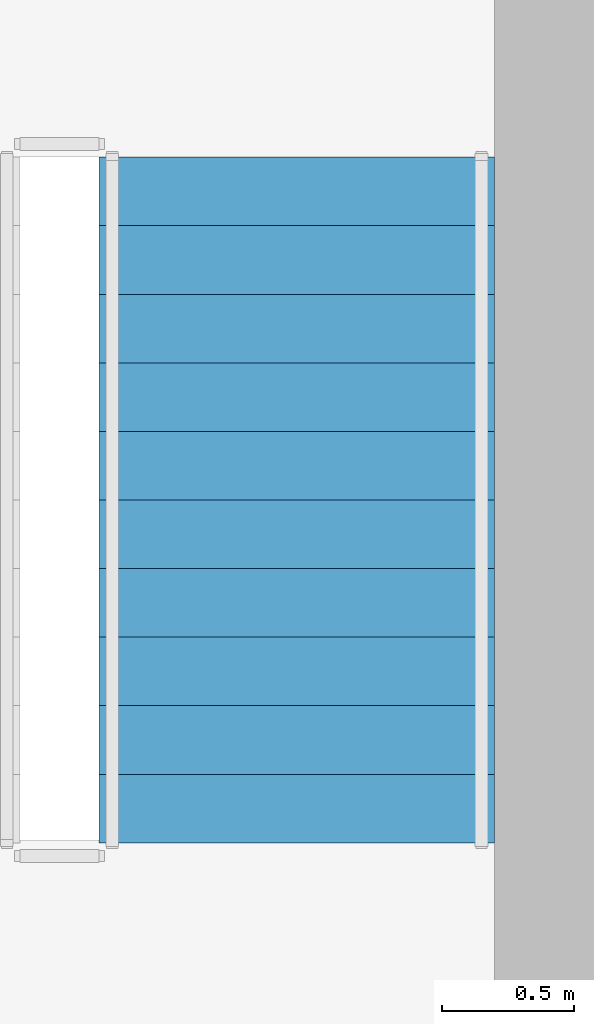
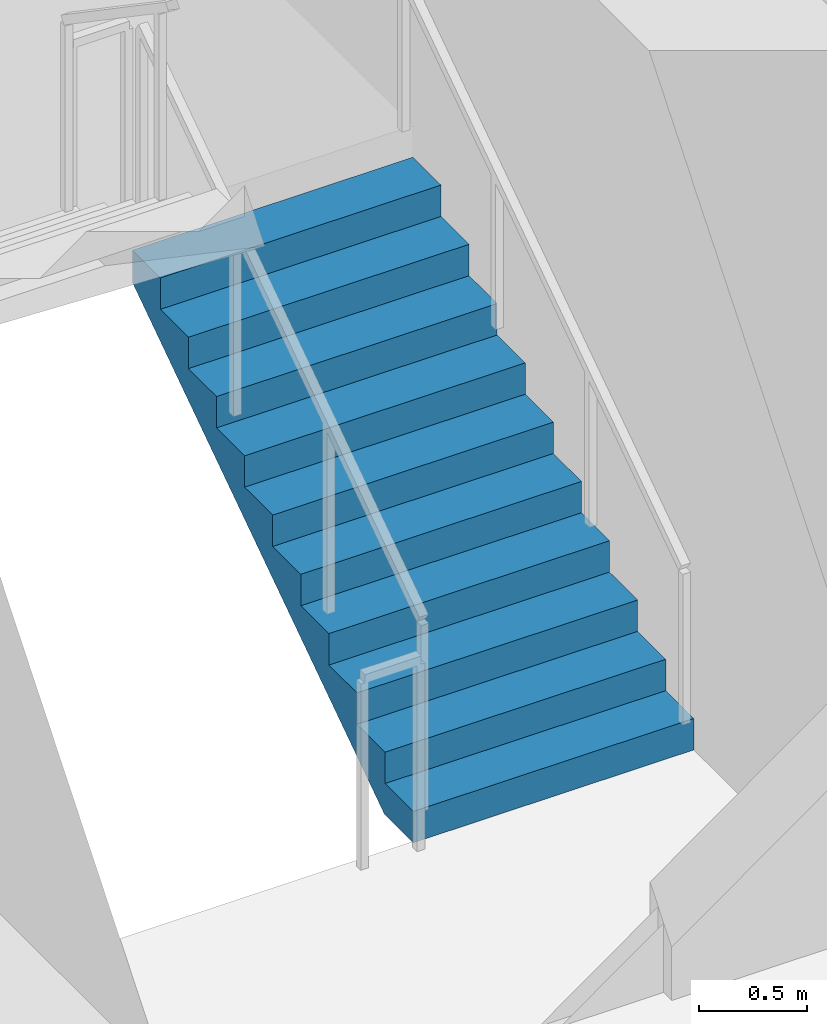
# One storey, part 12 of 17: 1 stair flight, 1 element without a shape of its own.
"""IFC4 building model written with IfcOpenShell, lengths in metres."""

import ifcopenshell
import ifcopenshell.guid

model = None  # the IFC model being written
_history = None  # IfcOwnerHistory: only IFC2X3 demands one
_inside = {}  # id of a spatial element -> (the spatial element, [elements in it])
_under = {}  # id of a project, library or spatial element -> (it, [spatial elements below it])
_declared = {}  # id of a project -> (the project, [libraries it declares])
_typed = {}  # id of a type object -> (the type object, [elements of that type])
_made_of = {}  # id of a material, layer set ... -> (it, [elements and type objects made of it])


def new_model(schema):
    """Start an empty IFC model of exactly this schema.

    Asked for "IFC4X3", IfcOpenShell would pick the latest addendum, in which some entities
    have other attributes; the version numbers below select the first issue.
    IFC2X3 requires an IfcOwnerHistory on every rooted entity: one is made here for all.
    """
    global model, _history
    if schema == "IFC4X3":
        model = ifcopenshell.file(schema_version=(4, 3, 0, 0))
    else:
        model = ifcopenshell.file(schema=schema)
    _inside.clear()
    _under.clear()
    _declared.clear()
    _typed.clear()
    _made_of.clear()
    _history = None
    if model.schema == "IFC2X3":
        org = make("IfcOrganization", Name="unknown")
        user = make(
            "IfcPersonAndOrganization",
            ThePerson=make("IfcPerson", FamilyName="unknown"),
            TheOrganization=org,
        )
        app = make(
            "IfcApplication",
            ApplicationDeveloper=org,
            Version="unknown",
            ApplicationFullName="unknown",
            ApplicationIdentifier="unknown",
        )
        _history = make(
            "IfcOwnerHistory",
            OwningUser=user,
            OwningApplication=app,
            ChangeAction="ADDED",
            CreationDate=0,
        )
    return model


def make(cls, **values):
    """One entity of the class cls with the attributes given. An attribute that is None is left unset."""
    return model.create_entity(
        cls, **{name: value for name, value in values.items() if value is not None}
    )


def rooted(cls, **values):
    """An entity with a GlobalId (a new one), such as an element, a storey or a relation."""
    return make(cls, GlobalId=ifcopenshell.guid.new(), OwnerHistory=_history, **values)


def si_unit(unit_type, name, prefix=None):
    """IfcSIUnit, for example si_unit("LENGTHUNIT", "METRE", prefix="MILLI")."""
    return make("IfcSIUnit", UnitType=unit_type, Prefix=prefix, Name=name)


def assignment(units):
    """IfcUnitAssignment: the units of a project."""
    return None if units is None else make("IfcUnitAssignment", Units=units)


def point(xyz):
    """IfcCartesianPoint."""
    return None if xyz is None else make("IfcCartesianPoint", Coordinates=xyz)


def direction(xyz):
    """IfcDirection."""
    return None if xyz is None else make("IfcDirection", DirectionRatios=xyz)


def frame(location, z_axis=None, x_axis=None):
    """IfcAxis2Placement3D, a coordinate frame: its origin and axes. An axis left out is left unset."""
    return make(
        "IfcAxis2Placement3D",
        Location=point(location),
        Axis=direction(z_axis),
        RefDirection=direction(x_axis),
    )


def origin():
    """The frame at (0, 0, 0) with its axes left unset."""
    return frame((0.0, 0.0, 0.0))


def place(relative_to, where):
    """IfcLocalPlacement: puts the frame where relative to a parent placement (None: the world)."""
    return make(
        "IfcLocalPlacement", PlacementRelTo=relative_to, RelativePlacement=where
    )


def context(
    kind, dimensions, precision=None, world=None, true_north=None, identifier=None
):
    """IfcGeometricRepresentationContext, for example the 3D "Model" context."""
    return make(
        "IfcGeometricRepresentationContext",
        ContextIdentifier=identifier,
        ContextType=kind,
        CoordinateSpaceDimension=dimensions,
        Precision=precision,
        WorldCoordinateSystem=world,
        TrueNorth=true_north,
    )


def subcontext(parent, identifier, kind, view, scale=None):
    """IfcGeometricRepresentationSubContext, for example "Body" below "Model"."""
    return make(
        "IfcGeometricRepresentationSubContext",
        ContextIdentifier=identifier,
        ContextType=kind,
        ParentContext=parent,
        TargetScale=scale,
        TargetView=view,
    )


def project(units=None, contexts=None):
    """IfcProject with its units and contexts."""
    return rooted(
        "IfcProject",
        Name="project",
        RepresentationContexts=contexts,
        UnitsInContext=assignment(units),
    )


def spatial(cls, under=None, at=None, **own):
    """A site, building, storey or space (cls), placed at a placement, below another one or the project."""
    s = rooted(cls, ObjectPlacement=at, **own)
    if under is not None:
        _under.setdefault(under.id(), (under, []))[1].append(s)
    return s


def polyline(points):
    """IfcPolyline through the points."""
    return make("IfcPolyline", Points=[point(p) for p in points])


def outline(outer, holes=None, kind="AREA"):
    """IfcArbitraryClosedProfileDef: a profile drawn as a closed curve; with holes, ...WithVoids."""
    if holes is None:
        return make("IfcArbitraryClosedProfileDef", ProfileType=kind, OuterCurve=outer)
    return make(
        "IfcArbitraryProfileDefWithVoids",
        ProfileType=kind,
        OuterCurve=outer,
        InnerCurves=holes,
    )


def extrude(swept, where, along, depth):
    """IfcExtrudedAreaSolid: the profile swept, set in the frame where, extruded along a direction by depth."""
    return make(
        "IfcExtrudedAreaSolid",
        SweptArea=swept,
        Position=where,
        ExtrudedDirection=direction(along),
        Depth=depth,
    )


def shape(context_of_items, identifier, shape_type, items):
    """IfcShapeRepresentation: the items that make up one representation, for example the "Body"."""
    return make(
        "IfcShapeRepresentation",
        ContextOfItems=context_of_items,
        RepresentationIdentifier=identifier,
        RepresentationType=shape_type,
        Items=items,
    )


def material(Name=None, Category=None):
    """IfcMaterial."""
    return make("IfcMaterial", Name=Name, Category=Category)


def made_of(thing, what):
    """Note that an element or type object is made of a material, layer set ...; save() writes the relation."""
    if what is not None:
        _made_of.setdefault(what.id(), (what, []))[1].append(thing)
    return thing


def type_object(cls, material=None, **own):
    """A type object (cls), such as IfcWallType, which elements share."""
    return made_of(rooted(cls, **own), material)


def element(
    cls,
    number,
    at=None,
    inside=None,
    cuts=None,
    type_object=None,
    material=None,
    context=None,
    identifier="Body",
    shape_type=None,
    held_by="IfcProductDefinitionShape",
    body=None,
    shapes=None,
    **own,
):
    """One element of the class cls, such as IfcWall. Its Tag is "e" and its number.

    at: its placement. inside: the storey or other place that contains it. cuts: it is an
    opening in that element (IfcRelVoidsElement). A single representation is given by context,
    identifier, shape_type and body (its items); several are given by shapes. held_by: the class
    of the entity that holds the representations. save() writes the other relations.
    """
    e = rooted(cls, Tag="e%d" % number, ObjectPlacement=at, **own)
    if body is not None:
        shapes = [shape(context, identifier, shape_type, body)]
    if shapes is not None:
        e.Representation = make(held_by, Representations=shapes)
    if inside is not None:
        _inside.setdefault(inside.id(), (inside, []))[1].append(e)
    if cuts is not None:
        rooted(
            "IfcRelVoidsElement", RelatingBuildingElement=cuts, RelatedOpeningElement=e
        )
    if type_object is not None:
        _typed.setdefault(type_object.id(), (type_object, []))[1].append(e)
    return made_of(e, material)


def aggregate(whole, parts):
    """IfcRelAggregates: a whole, such as a stair, and the parts it consists of."""
    return rooted("IfcRelAggregates", RelatingObject=whole, RelatedObjects=parts)


def save(model, path):
    """Write the relations noted so far, then the file.

    IfcRelAggregates (storeys below a building ...), IfcRelContainedInSpatialStructure (elements
    in a storey), IfcRelDefinesByType, IfcRelAssociatesMaterial and IfcRelDeclares: one each for
    every whole, place, type object, material and project.
    """
    for whole, parts in _under.values():
        aggregate(whole, parts)
    for where, things in _inside.values():
        rooted(
            "IfcRelContainedInSpatialStructure",
            RelatedElements=things,
            RelatingStructure=where,
        )
    for kind, things in _typed.values():
        rooted("IfcRelDefinesByType", RelatedObjects=things, RelatingType=kind)
    for what, things in _made_of.values():
        rooted("IfcRelAssociatesMaterial", RelatedObjects=things, RelatingMaterial=what)
    for by, libraries in _declared.values():
        rooted("IfcRelDeclares", RelatingContext=by, RelatedDefinitions=libraries)
    model.write(path)


model = new_model("IFC4")

# Units and contexts
model_context = context("Model", 3, precision=1e-05, world=origin(), true_north=direction((0.0, 1.0)))
body_context = subcontext(model_context, "Body", "Model", "MODEL_VIEW")
ifc_project = project(units=[si_unit("LENGTHUNIT", "METRE"), si_unit("AREAUNIT", "SQUARE_METRE"), si_unit("VOLUMEUNIT", "CUBIC_METRE"), si_unit("PLANEANGLEUNIT", "RADIAN"), si_unit("MASSUNIT", "GRAM", prefix="KILO")], contexts=[model_context])

# Site, building, storey
site_placement = place(None, origin())
site = spatial("IfcSite", under=ifc_project, at=site_placement, CompositionType="ELEMENT")
building_placement = place(site_placement, origin())
building = spatial("IfcBuilding", under=site, at=building_placement, Name="Rattan Terrace Tower", CompositionType="ELEMENT")
storey_placement = place(building_placement, frame((0.0, 0.0, 236.89990234375)))
storey = spatial("IfcBuildingStorey", under=building, at=storey_placement, Name="L54", CompositionType="ELEMENT", Elevation=236.89990234375)

# Stair, stair flight
ifc_material_1 = material(Name="Concrete C40/50", Category="concrete")
stair_type = type_object("IfcStairType", Name="Core exit stair 1500", PredefinedType="HALF_TURN_STAIR", material=ifc_material_1)
stair_placement = place(storey_placement, origin())
stair = element("IfcStair", 1, at=stair_placement, inside=storey, type_object=stair_type, Name="L54 exit stair 2", PredefinedType="HALF_TURN_STAIR")
ifc_material_2 = material(Name="Concrete C40/50", Category="concrete")
stair_flight_type = type_object("IfcStairFlightType", Name="Core exit stair flight 1500", PredefinedType="STRAIGHT", material=ifc_material_2)
stair_flight_placement = place(storey_placement, frame((16.35009765625, 1.699951171875, 0.0), z_axis=(0.0, 0.0, 1.0), x_axis=(0.0, 1.0, 0.0)))
stair_flight = element("IfcStairFlight", 2, at=stair_flight_placement, type_object=stair_flight_type, Name="S2 flight 1", NumberOfRisers=11, NumberOfTreads=10, PredefinedType="STRAIGHT", RiserHeight=0.177272727, TreadLength=0.26, context=body_context, shape_type="SweptSolid", body=[
    extrude(outline(polyline([(0.0, 0.0), (0.0, 0.17724609375), (0.260009765625, 0.17724609375), (0.260009765625, 0.3544921875), (0.52001953125, 0.3544921875), (0.52001953125, 0.53173828125), (0.780029296875, 0.53173828125), (0.780029296875, 0.708984375), (1.0400390625, 0.708984375), (1.0400390625, 0.886474609375), (1.300048828125, 0.886474609375), (1.300048828125, 1.063720703125), (1.56005859375, 1.063720703125), (1.56005859375, 1.240966796875), (1.820068359375, 1.240966796875), (1.820068359375, 1.418212890625), (2.080078125, 1.418212890625), (2.080078125, 1.595458984375), (2.340087890625, 1.595458984375), (2.340087890625, 1.772705078125), (2.60009765625, 1.772705078125), (2.60009765625, 1.949951171875), (2.60009765625, 1.59130859375), (0.26611328125, 0.0), (0.0, 0.0)])), frame((0.0, 0.75, 0.0), z_axis=(0.0, -1.0, 0.0), x_axis=(1.0, 0.0, 0.0)), (0.0, 0.0, 1.0), 1.5),
])
aggregate(stair, [stair_flight])

save(model, "model.ifc")
